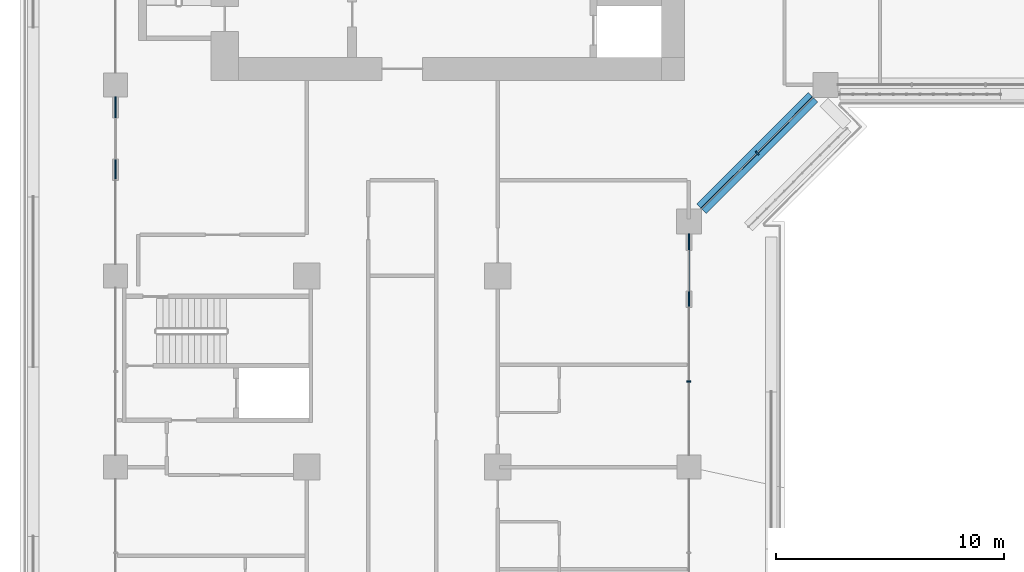
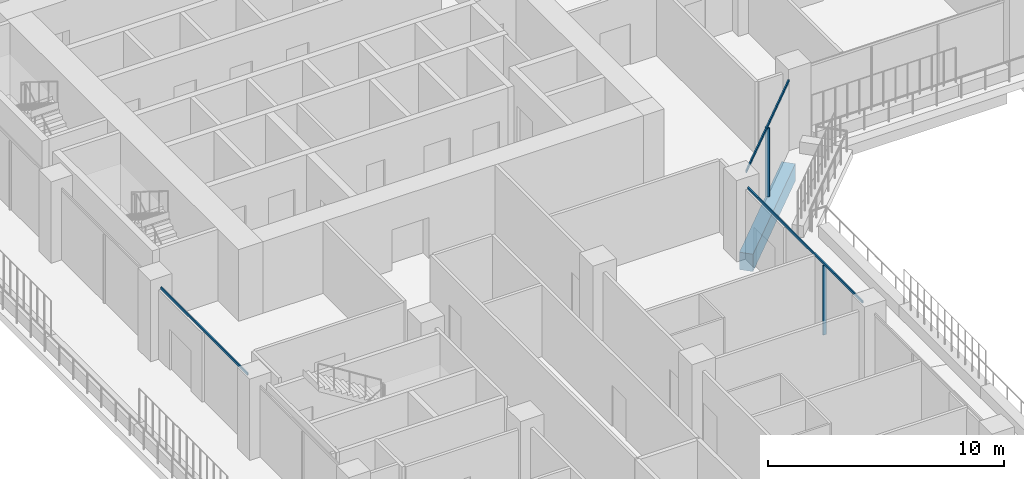
# One storey, part 3 of 23: 5 members, 1 beam, 3 elements without a shape of their own.
"""IFC4 building model written with IfcOpenShell, lengths in metres."""

from ifc_helpers import new_model, si_unit, direction, frame, origin, origin_2d, place, context, subcontext, project, spatial, rectangle, extrude, material, layer, layer_set, material_profile, profile_set, type_object, element, aggregate, save


model = new_model("IFC4")

# Units and contexts
model_context = context("Model", 3, precision=1e-05, world=origin(), true_north=direction((0.0, 1.0)))
body_context = subcontext(model_context, "Body", "Model", "MODEL_VIEW")
ifc_project = project(units=[si_unit("LENGTHUNIT", "METRE"), si_unit("AREAUNIT", "SQUARE_METRE"), si_unit("VOLUMEUNIT", "CUBIC_METRE"), si_unit("PLANEANGLEUNIT", "RADIAN"), si_unit("MASSUNIT", "GRAM", prefix="KILO")], contexts=[model_context])

# Site, building, storey
site_placement = place(None, origin())
site = spatial("IfcSite", under=ifc_project, at=site_placement, CompositionType="ELEMENT")
building_placement = place(site_placement, origin())
building = spatial("IfcBuilding", under=site, at=building_placement, Name="Kawkab Arch Medical Tower", CompositionType="ELEMENT")
storey_placement = place(building_placement, frame((0.0, 0.0, 149.199951171875)))
storey = spatial("IfcBuildingStorey", under=building, at=storey_placement, Name="L34", CompositionType="ELEMENT", Elevation=149.199951171875)

# Curtain wall, member
ifc_material_1 = material(Name="Bronze anodised aluminium curtain wall frame", Category="aluminium")
ifc_layer_1 = layer(ifc_material_1, 0.159912109375)
ifc_layer_set_1 = layer_set([ifc_layer_1], Name="Bronze anodised aluminium curtain wall frame")
curtain_wall_type_1 = type_object("IfcCurtainWallType", Name="CW1 ward curtain wall", PredefinedType="NOTDEFINED", material=ifc_layer_set_1)
placement = place(storey_placement, origin())
curtain_wall_1 = element("IfcCurtainWall", 1, at=placement, inside=storey, type_object=curtain_wall_type_1, Name="CW1 Ward curtain wall R05", PredefinedType="NOTDEFINED")
ifc_material_2 = material(Name="Bronze anodised aluminium curtain wall frame", Category="aluminium")
ifc_material_profile_1 = material_profile(ifc_material_2, rectangle(XDim=0.179931640625, YDim=0.06005859375, at=origin_2d()), Name="AL 60x180")
ifc_profile_set_1 = profile_set([ifc_material_profile_1], Name="Bronze anodised aluminium curtain wall frame")
member_type_1 = type_object("IfcMemberType", Name="CW1 mullion 60 x 180", PredefinedType="MULLION", material=ifc_profile_set_1)
member_1_placement = place(storey_placement, frame((25.199951171875, -38.2333984375, 0.0), z_axis=(0.0, 0.0, 1.0), x_axis=(-1.0, 0.0, 0.0)))
member_1 = element("IfcMember", 2, at=member_1_placement, type_object=member_type_1, Name="CW1 mullion 2.1", PredefinedType="MULLION", context=body_context, shape_type="SweptSolid", body=[
    extrude(rectangle(XDim=0.179931640625, YDim=0.06005859375, at=origin_2d()), origin(), (0.0, 0.0, 1.0), 3.580078125),
])

curtain_wall_2 = element("IfcCurtainWall", 3, at=placement, inside=storey, type_object=curtain_wall_type_1, Name="CW1 Ward curtain wall R01", PredefinedType="NOTDEFINED")
ifc_material_3 = material(Name="Bronze anodised aluminium curtain wall frame", Category="aluminium")
ifc_material_profile_2 = material_profile(ifc_material_3, rectangle(XDim=0.06005859375, YDim=0.1201171875, at=origin_2d()), Name="AL 60x120")
ifc_profile_set_2 = profile_set([ifc_material_profile_2], Name="Bronze anodised aluminium curtain wall frame")
member_type_2 = type_object("IfcMemberType", Name="CW1 transom 120 x 60", PredefinedType="USERDEFINED", material=ifc_profile_set_2)
member_2_placement = place(storey_placement, frame((0.0, -25.72509765625, 3.64013671875), z_axis=(0.0, -1.0, 0.0), x_axis=(1.0, 0.0, 0.0)))
member_2 = element("IfcMember", 4, at=member_2_placement, type_object=member_type_2, Name="CW1 transom 4", ObjectType="TRANSOM", PredefinedType="USERDEFINED", context=body_context, shape_type="SweptSolid", body=[
    extrude(rectangle(XDim=0.06005859375, YDim=0.1201171875, at=origin_2d()), origin(), (0.0, 0.0, 1.0), 7.349853515625),
])
aggregate(curtain_wall_2, [member_2])

# Member
member_3_placement = place(storey_placement, frame((25.199951171875, -41.47509765625, 3.64013671875), z_axis=(0.0, 1.0, 0.0), x_axis=(-1.0, 0.0, 0.0)))
member_3 = element("IfcMember", 5, at=member_3_placement, type_object=member_type_2, Name="CW1 transom 2", ObjectType="TRANSOM", PredefinedType="USERDEFINED", context=body_context, shape_type="SweptSolid", body=[
    extrude(rectangle(XDim=0.06005859375, YDim=0.1201171875, at=origin_2d()), origin(), (0.0, 0.0, 1.0), 9.72509765625),
])

aggregate(curtain_wall_1, [member_3, member_1])

# Curtain wall, members
ifc_material_4 = material(Name="Bronze anodised aluminium curtain wall frame", Category="aluminium")
ifc_layer_2 = layer(ifc_material_4, 0.159912109375)
ifc_layer_set_2 = layer_set([ifc_layer_2], Name="Bronze anodised aluminium curtain wall frame")
curtain_wall_type_2 = type_object("IfcCurtainWallType", Name="CW2 chamfer curtain wall", PredefinedType="NOTDEFINED", material=ifc_layer_set_2)
curtain_wall_3 = element("IfcCurtainWall", 6, at=placement, inside=storey, type_object=curtain_wall_type_2, Name="CW2 Chamfer curtain wall R06", PredefinedType="NOTDEFINED")
ifc_material_5 = material(Name="Bronze anodised aluminium curtain wall frame", Category="aluminium")
ifc_material_profile_3 = material_profile(ifc_material_5, rectangle(XDim=0.199951171875, YDim=0.06005859375, at=origin_2d()), Name="AL 60x200")
ifc_profile_set_3 = profile_set([ifc_material_profile_3], Name="Bronze anodised aluminium curtain wall frame")
member_type_3 = type_object("IfcMemberType", Name="CW2 mullion 60 x 200", PredefinedType="MULLION", material=ifc_profile_set_3)
member_4_placement = place(storey_placement, frame((28.199951171875, -28.199951171875, 0.0), z_axis=(0.0, 0.0, 1.0), x_axis=(-0.707106781187, 0.707106781187, 0.0)))
member_4 = element("IfcMember", 7, at=member_4_placement, type_object=member_type_3, Name="CW2 mullion 1.1", PredefinedType="MULLION", context=body_context, shape_type="SweptSolid", body=[
    extrude(rectangle(XDim=0.199951171875, YDim=0.06005859375, at=origin_2d()), origin(), (0.0, 0.0, 1.0), 3.56005859375),
])
ifc_material_6 = material(Name="Bronze anodised aluminium curtain wall frame", Category="aluminium")
ifc_material_profile_4 = material_profile(ifc_material_6, rectangle(XDim=0.06005859375, YDim=0.139892578125, at=origin_2d()), Name="AL 60x140")
ifc_profile_set_4 = profile_set([ifc_material_profile_4], Name="Bronze anodised aluminium curtain wall frame")
member_type_4 = type_object("IfcMemberType", Name="CW2 transom 140 x 60", PredefinedType="USERDEFINED", material=ifc_profile_set_4)
member_5_placement = place(storey_placement, frame((25.75, -30.64990234375, 3.630126953125), z_axis=(0.707106781187, 0.707106781187, 0.0), x_axis=(-0.707106781187, 0.707106781187, 0.0)))
member_5 = element("IfcMember", 8, at=member_5_placement, type_object=member_type_4, Name="CW2 transom 1", ObjectType="TRANSOM", PredefinedType="USERDEFINED", context=body_context, shape_type="SweptSolid", body=[
    extrude(rectangle(XDim=0.06005859375, YDim=0.139892578125, at=origin_2d()), origin(), (0.0, 0.0, 1.0), 6.929443359375),
])
aggregate(curtain_wall_3, [member_5, member_4])

# Beam
ifc_material_7 = material(Name="Concrete C55/67", Category="concrete")
ifc_material_profile_5 = material_profile(ifc_material_7, rectangle(XDim=0.60009765625, YDim=0.89990234375, at=origin_2d()), Name="RC 600x900")
ifc_profile_set_5 = profile_set([ifc_material_profile_5], Name="Concrete C55/67")
beam_type = type_object("IfcBeamType", Name="RC 600x900 beam C55/67", PredefinedType="BEAM", material=ifc_profile_set_5)
beam_placement = place(storey_placement, frame((30.64990234375, -25.75, -1.050048828125), z_axis=(-0.707106781187, -0.707106781187, 0.0), x_axis=(0.707106781187, -0.707106781187, 0.0)))
element("IfcBeam", 9, at=beam_placement, inside=storey, type_object=beam_type, Name="Overhang edge beam L34-06", PredefinedType="BEAM", context=body_context, shape_type="SweptSolid", body=[
    extrude(rectangle(XDim=0.60009765625, YDim=0.89990234375, at=origin_2d()), origin(), (0.0, 0.0, 1.0), 6.929443359375),
])

save(model, "model.ifc")
